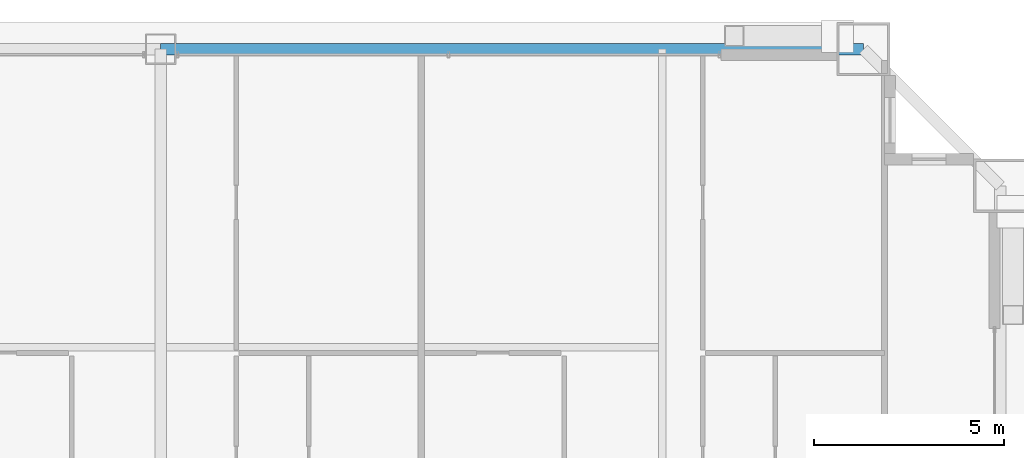
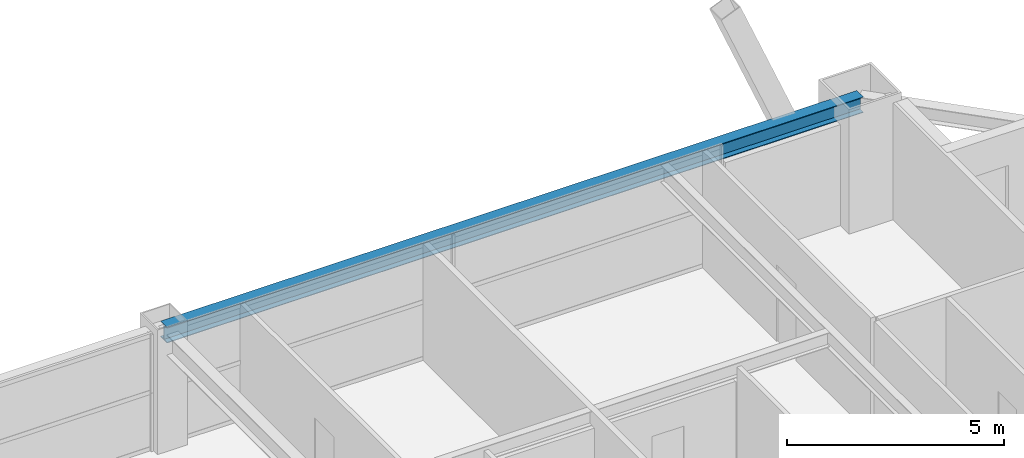
# One storey, part 34 of 42: 1 beam.
"""IFC4 building model written with IfcOpenShell, lengths in metres."""

from ifc_helpers import new_model, si_unit, direction, frame, origin, origin_2d, place, context, subcontext, project, spatial, i_section, extrude, source, transform, mapped, material, material_profile, profile_set, type_object, element, save


model = new_model("IFC4")

# Units and contexts
model_context = context("Model", 3, precision=1e-05, world=origin(), true_north=direction((0.0, 1.0)))
body_context = subcontext(model_context, "Body", "Model", "MODEL_VIEW")
ifc_project = project(units=[si_unit("LENGTHUNIT", "METRE"), si_unit("AREAUNIT", "SQUARE_METRE"), si_unit("VOLUMEUNIT", "CUBIC_METRE"), si_unit("PLANEANGLEUNIT", "RADIAN"), si_unit("MASSUNIT", "GRAM", prefix="KILO"), si_unit("THERMODYNAMICTEMPERATUREUNIT", "KELVIN"), si_unit("POWERUNIT", "WATT")], contexts=[model_context])

# Site, building, storey
site_placement = place(None, origin())
site = spatial("IfcSite", under=ifc_project, at=site_placement, CompositionType="ELEMENT")
building_placement = place(site_placement, origin())
building = spatial("IfcBuilding", under=site, at=building_placement, Name="Yuzanri Waterfront Tower", CompositionType="ELEMENT")
storey_placement = place(building_placement, frame((0.0, 0.0, 205.5)))
storey = spatial("IfcBuildingStorey", under=building, at=storey_placement, Name="L54", CompositionType="ELEMENT", Elevation=205.5)

# Beam
ifc_material = material(Name="Steel Q355B", Category="steel")
ifc_material_profile = material_profile(ifc_material, i_section(OverallWidth=0.300048828125, OverallDepth=0.43994140625, WebThickness=0.010986328125, FlangeThickness=0.01806640625, at=origin_2d()), Name="HM 440x300x11x18")
ifc_profile_set = profile_set([ifc_material_profile], Name="Steel Q355B")
beam_type = type_object("IfcBeamType", Name="Perimeter Spandrel Q355B HM 440x300", PredefinedType="SPANDREL", material=ifc_profile_set)
shared_shape = source(origin(), body_context, "Body", "SweptSolid", [
    extrude(i_section(OverallWidth=0.300048828125, OverallDepth=0.43994140625, WebThickness=0.010986328125, FlangeThickness=0.01806640625, at=origin_2d()), origin(), (0.0, 0.0, 1.0), 18.5),
])
beam_placement = place(storey_placement, frame((55.5, 47.89990234375, 3.06005859375), z_axis=(-1.0, 0.0, 0.0), x_axis=(0.0, -1.0, 0.0)))
element("IfcBeam", 1, at=beam_placement, inside=storey, type_object=beam_type, Name="L54 Perimeter Spandrel N3-N2", PredefinedType="SPANDREL", context=body_context, shape_type="MappedRepresentation", body=[
    mapped(shared_shape, transform((0.0, 0.0, 0.0), scale=1.0)),
])

save(model, "model.ifc")
